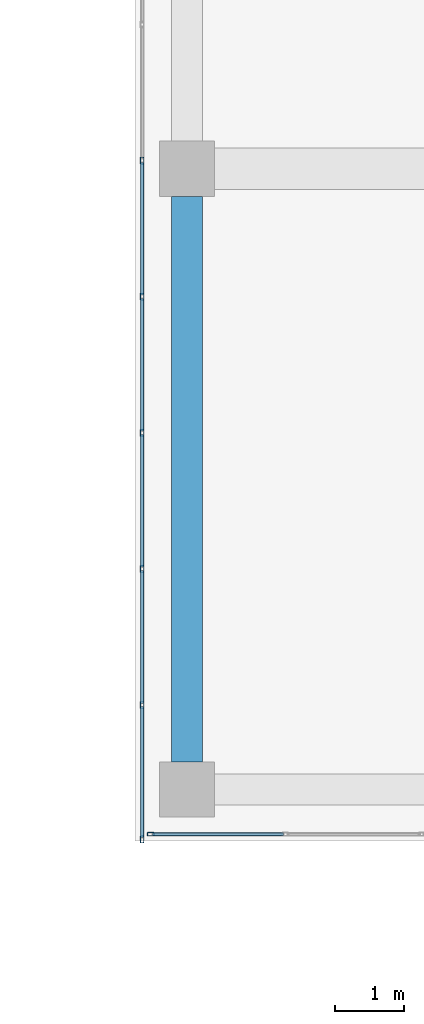
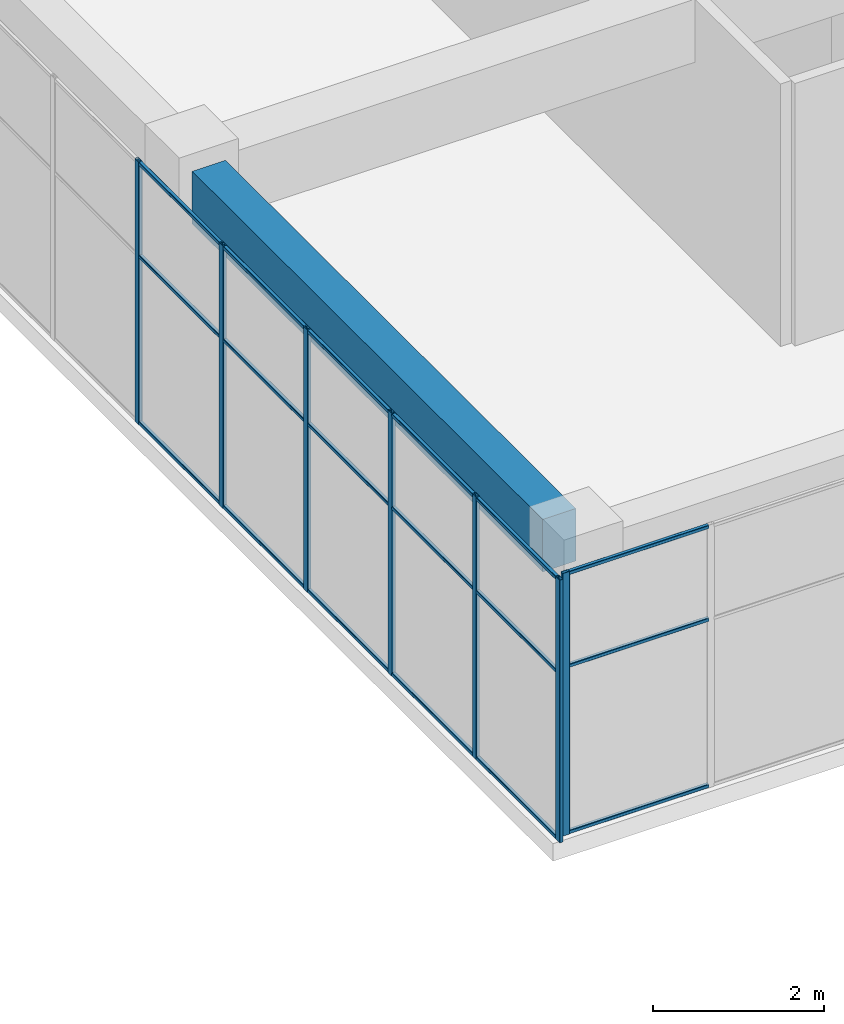
# One storey, part 20 of 55: 25 members, 1 beam, 2 elements without a shape of their own.
"""IFC4 building model written with IfcOpenShell, lengths in metres."""

from ifc_helpers import new_model, si_unit, direction, frame, origin, origin_2d, place, context, subcontext, project, spatial, rectangle, hollow_rectangle, extrude, material, layer, layer_set, material_profile, profile_set, type_object, element, aggregate, save


model = new_model("IFC4")

# Units and contexts
model_context = context("Model", 3, precision=1e-05, world=origin(), true_north=direction((0.0, 1.0)))
body_context = subcontext(model_context, "Body", "Model", "MODEL_VIEW")
ifc_project = project(units=[si_unit("LENGTHUNIT", "METRE"), si_unit("AREAUNIT", "SQUARE_METRE"), si_unit("VOLUMEUNIT", "CUBIC_METRE"), si_unit("PLANEANGLEUNIT", "RADIAN"), si_unit("MASSUNIT", "GRAM", prefix="KILO")], contexts=[model_context])

# Site, building, storey
site_placement = place(None, origin())
site = spatial("IfcSite", under=ifc_project, at=site_placement, CompositionType="ELEMENT")
building_placement = place(site_placement, origin())
building = spatial("IfcBuilding", under=site, at=building_placement, Name="Tuart Plaza Theatre", CompositionType="ELEMENT")
storey_placement = place(building_placement, frame((0.0, 0.0, 21.5)))
storey = spatial("IfcBuildingStorey", under=building, at=storey_placement, Name="L05", CompositionType="ELEMENT", Elevation=21.5)

# Beam
ifc_material_1 = material(Name="Concrete N40 (40 MPa)", Category="concrete")
ifc_material_profile_1 = material_profile(ifc_material_1, rectangle(XDim=0.449951171875, YDim=0.75, at=origin_2d()), Name="BEAM 450x750 Concrete N40 (40 MPa)")
ifc_profile_set_1 = profile_set([ifc_material_profile_1], Name="Concrete N40 (40 MPa)")
beam_type = type_object("IfcBeamType", Name="BEAM 450x750 Concrete N40 (40 MPa)", PredefinedType="BEAM", material=ifc_profile_set_1)
beam_placement = place(storey_placement, frame((114.0, 56.39990234375, 3.375), z_axis=(0.0, 1.0, 0.0), x_axis=(-1.0, 0.0, 0.0)))
element("IfcBeam", 1, at=beam_placement, inside=storey, type_object=beam_type, Name="RB207", PredefinedType="BEAM", context=body_context, shape_type="SweptSolid", body=[
    extrude(rectangle(XDim=0.449951171875, YDim=0.75, at=origin_2d()), origin(), (0.0, 0.0, 1.0), 8.2001953125),
])

# Curtain wall, members
ifc_material_2 = material(Name="Aluminium and glass", Category="aluminium")
ifc_layer = layer(ifc_material_2, 0.10009765625)
ifc_layer_set = layer_set([ifc_layer], Name="CURTAIN WALL 2000 module")
curtain_wall_type = type_object("IfcCurtainWallType", Name="CURTAIN WALL 2000 module", PredefinedType="NOTDEFINED", material=ifc_layer_set)
curtain_wall_1_placement = place(storey_placement, origin())
curtain_wall_1 = element("IfcCurtainWall", 2, at=curtain_wall_1_placement, inside=storey, type_object=curtain_wall_type, Name="CW86", PredefinedType="NOTDEFINED")
ifc_material_3 = material(Name="Aluminium 6063-T5", Category="aluminium")
ifc_material_profile_2 = material_profile(ifc_material_3, hollow_rectangle(XDim=0.050048828125, YDim=0.10009765625, WallThickness=0.00390625, InnerFilletRadius=0.00390625, OuterFilletRadius=0.008056640625, at=origin_2d()), Name="RHS 100x50x4")
ifc_profile_set_2 = profile_set([ifc_material_profile_2], Name="Aluminium 6063-T5")
member_type_1 = type_object("IfcMemberType", Name="MULLION RHS 100x50x4", PredefinedType="MULLION", material=ifc_profile_set_2)
member_1_placement = place(storey_placement, frame((113.35009765625, 65.118408203125, 0.0), z_axis=(0.0, 0.0, 1.0), x_axis=(1.0, 0.0, 0.0)))
member_1 = element("IfcMember", 3, at=member_1_placement, type_object=member_type_1, Name="CW86 mullion 15", PredefinedType="MULLION", context=body_context, shape_type="SweptSolid", body=[
    extrude(hollow_rectangle(XDim=0.050048828125, YDim=0.10009765625, WallThickness=0.00390625, InnerFilletRadius=0.00390625, OuterFilletRadius=0.008056640625, at=origin_2d()), origin(), (0.0, 0.0, 1.0), 3.75),
])
member_2_placement = place(storey_placement, frame((113.35009765625, 63.144775390625, 0.0), z_axis=(0.0, 0.0, 1.0), x_axis=(1.0, 0.0, 0.0)))
member_2 = element("IfcMember", 4, at=member_2_placement, type_object=member_type_1, Name="CW86 mullion 16", PredefinedType="MULLION", context=body_context, shape_type="SweptSolid", body=[
    extrude(hollow_rectangle(XDim=0.050048828125, YDim=0.10009765625, WallThickness=0.00390625, InnerFilletRadius=0.00390625, OuterFilletRadius=0.008056640625, at=origin_2d()), origin(), (0.0, 0.0, 1.0), 3.75),
])
member_3_placement = place(storey_placement, frame((113.35009765625, 61.171142578125, 0.0), z_axis=(0.0, 0.0, 1.0), x_axis=(1.0, 0.0, 0.0)))
member_3 = element("IfcMember", 5, at=member_3_placement, type_object=member_type_1, Name="CW86 mullion 17", PredefinedType="MULLION", context=body_context, shape_type="SweptSolid", body=[
    extrude(hollow_rectangle(XDim=0.050048828125, YDim=0.10009765625, WallThickness=0.00390625, InnerFilletRadius=0.00390625, OuterFilletRadius=0.008056640625, at=origin_2d()), origin(), (0.0, 0.0, 1.0), 3.75),
])
member_4_placement = place(storey_placement, frame((113.35009765625, 59.197265625, 0.0), z_axis=(0.0, 0.0, 1.0), x_axis=(1.0, 0.0, 0.0)))
member_4 = element("IfcMember", 6, at=member_4_placement, type_object=member_type_1, Name="CW86 mullion 18", PredefinedType="MULLION", context=body_context, shape_type="SweptSolid", body=[
    extrude(hollow_rectangle(XDim=0.050048828125, YDim=0.10009765625, WallThickness=0.00390625, InnerFilletRadius=0.00390625, OuterFilletRadius=0.008056640625, at=origin_2d()), origin(), (0.0, 0.0, 1.0), 3.75),
])
member_5_placement = place(storey_placement, frame((113.35009765625, 57.2236328125, 0.0), z_axis=(0.0, 0.0, 1.0), x_axis=(1.0, 0.0, 0.0)))
member_5 = element("IfcMember", 7, at=member_5_placement, type_object=member_type_1, Name="CW86 mullion 19", PredefinedType="MULLION", context=body_context, shape_type="SweptSolid", body=[
    extrude(hollow_rectangle(XDim=0.050048828125, YDim=0.10009765625, WallThickness=0.00390625, InnerFilletRadius=0.00390625, OuterFilletRadius=0.008056640625, at=origin_2d()), origin(), (0.0, 0.0, 1.0), 3.75),
])
member_6_placement = place(storey_placement, frame((113.35009765625, 55.27490234375, 0.0), z_axis=(0.0, 0.0, 1.0), x_axis=(1.0, 0.0, 0.0)))
member_6 = element("IfcMember", 8, at=member_6_placement, type_object=member_type_1, Name="CW86 mullion 20", PredefinedType="MULLION", context=body_context, shape_type="SweptSolid", body=[
    extrude(hollow_rectangle(XDim=0.050048828125, YDim=0.10009765625, WallThickness=0.00390625, InnerFilletRadius=0.00390625, OuterFilletRadius=0.008056640625, at=origin_2d()), origin(), (0.0, 0.0, 1.0), 3.75),
])

# Curtain wall, member
curtain_wall_2_placement = place(storey_placement, origin())
curtain_wall_2 = element("IfcCurtainWall", 9, at=curtain_wall_2_placement, inside=storey, type_object=curtain_wall_type, Name="CW87", PredefinedType="NOTDEFINED")
member_7_placement = place(storey_placement, frame((113.47509765625, 55.35009765625, 0.0), z_axis=(0.0, 0.0, 1.0), x_axis=(0.0, 1.0, 0.0)))
member_7 = element("IfcMember", 10, at=member_7_placement, type_object=member_type_1, Name="CW87 mullion 1", PredefinedType="MULLION", context=body_context, shape_type="SweptSolid", body=[
    extrude(hollow_rectangle(XDim=0.050048828125, YDim=0.10009765625, WallThickness=0.00390625, InnerFilletRadius=0.00390625, OuterFilletRadius=0.008056640625, at=origin_2d()), origin(), (0.0, 0.0, 1.0), 3.75),
])

# Member
ifc_material_4 = material(Name="Aluminium 6063-T5", Category="aluminium")
ifc_material_profile_3 = material_profile(ifc_material_4, hollow_rectangle(XDim=0.050048828125, YDim=0.050048828125, WallThickness=0.00390625, InnerFilletRadius=0.00390625, OuterFilletRadius=0.008056640625, at=origin_2d()), Name="RHS 50x50x4")
ifc_profile_set_3 = profile_set([ifc_material_profile_3], Name="Aluminium 6063-T5")
member_type_2 = type_object("IfcMemberType", Name="TRANSOM RHS 50x50x4", PredefinedType="USERDEFINED", material=ifc_profile_set_3)
member_8_placement = place(storey_placement, frame((113.35009765625, 65.093505859375, 0.02490234375), z_axis=(0.0, -1.0, 0.0), x_axis=(1.0, 0.0, 0.0)))
member_8 = element("IfcMember", 11, at=member_8_placement, type_object=member_type_2, Name="CW86 transom 15.1", ObjectType="TRANSOM", PredefinedType="USERDEFINED", context=body_context, shape_type="SweptSolid", body=[
    extrude(hollow_rectangle(XDim=0.050048828125, YDim=0.050048828125, WallThickness=0.00390625, InnerFilletRadius=0.00390625, OuterFilletRadius=0.008056640625, at=origin_2d()), origin(), (0.0, 0.0, 1.0), 1.923828125),
])

member_9_placement = place(storey_placement, frame((113.35009765625, 65.093505859375, 2.39990234375), z_axis=(0.0, -1.0, 0.0), x_axis=(1.0, 0.0, 0.0)))
member_9 = element("IfcMember", 12, at=member_9_placement, type_object=member_type_2, Name="CW86 transom 15.2", ObjectType="TRANSOM", PredefinedType="USERDEFINED", context=body_context, shape_type="SweptSolid", body=[
    extrude(hollow_rectangle(XDim=0.050048828125, YDim=0.050048828125, WallThickness=0.00390625, InnerFilletRadius=0.00390625, OuterFilletRadius=0.008056640625, at=origin_2d()), origin(), (0.0, 0.0, 1.0), 1.923828125),
])

member_10_placement = place(storey_placement, frame((113.35009765625, 65.093505859375, 3.72509765625), z_axis=(0.0, -1.0, 0.0), x_axis=(1.0, 0.0, 0.0)))
member_10 = element("IfcMember", 13, at=member_10_placement, type_object=member_type_2, Name="CW86 transom 15.3", ObjectType="TRANSOM", PredefinedType="USERDEFINED", context=body_context, shape_type="SweptSolid", body=[
    extrude(hollow_rectangle(XDim=0.050048828125, YDim=0.050048828125, WallThickness=0.00390625, InnerFilletRadius=0.00390625, OuterFilletRadius=0.008056640625, at=origin_2d()), origin(), (0.0, 0.0, 1.0), 1.923828125),
])

member_11_placement = place(storey_placement, frame((113.35009765625, 63.11962890625, 0.02490234375), z_axis=(0.0, -1.0, 0.0), x_axis=(1.0, 0.0, 0.0)))
member_11 = element("IfcMember", 14, at=member_11_placement, type_object=member_type_2, Name="CW86 transom 16.1", ObjectType="TRANSOM", PredefinedType="USERDEFINED", context=body_context, shape_type="SweptSolid", body=[
    extrude(hollow_rectangle(XDim=0.050048828125, YDim=0.050048828125, WallThickness=0.00390625, InnerFilletRadius=0.00390625, OuterFilletRadius=0.008056640625, at=origin_2d()), origin(), (0.0, 0.0, 1.0), 1.923583984375),
])

member_12_placement = place(storey_placement, frame((113.35009765625, 63.11962890625, 2.39990234375), z_axis=(0.0, -1.0, 0.0), x_axis=(1.0, 0.0, 0.0)))
member_12 = element("IfcMember", 15, at=member_12_placement, type_object=member_type_2, Name="CW86 transom 16.2", ObjectType="TRANSOM", PredefinedType="USERDEFINED", context=body_context, shape_type="SweptSolid", body=[
    extrude(hollow_rectangle(XDim=0.050048828125, YDim=0.050048828125, WallThickness=0.00390625, InnerFilletRadius=0.00390625, OuterFilletRadius=0.008056640625, at=origin_2d()), origin(), (0.0, 0.0, 1.0), 1.923583984375),
])

member_13_placement = place(storey_placement, frame((113.35009765625, 63.11962890625, 3.72509765625), z_axis=(0.0, -1.0, 0.0), x_axis=(1.0, 0.0, 0.0)))
member_13 = element("IfcMember", 16, at=member_13_placement, type_object=member_type_2, Name="CW86 transom 16.3", ObjectType="TRANSOM", PredefinedType="USERDEFINED", context=body_context, shape_type="SweptSolid", body=[
    extrude(hollow_rectangle(XDim=0.050048828125, YDim=0.050048828125, WallThickness=0.00390625, InnerFilletRadius=0.00390625, OuterFilletRadius=0.008056640625, at=origin_2d()), origin(), (0.0, 0.0, 1.0), 1.923583984375),
])

member_14_placement = place(storey_placement, frame((113.35009765625, 61.14599609375, 0.02490234375), z_axis=(0.0, -1.0, 0.0), x_axis=(1.0, 0.0, 0.0)))
member_14 = element("IfcMember", 17, at=member_14_placement, type_object=member_type_2, Name="CW86 transom 17.1", ObjectType="TRANSOM", PredefinedType="USERDEFINED", context=body_context, shape_type="SweptSolid", body=[
    extrude(hollow_rectangle(XDim=0.050048828125, YDim=0.050048828125, WallThickness=0.00390625, InnerFilletRadius=0.00390625, OuterFilletRadius=0.008056640625, at=origin_2d()), origin(), (0.0, 0.0, 1.0), 1.923583984375),
])

member_15_placement = place(storey_placement, frame((113.35009765625, 61.14599609375, 2.39990234375), z_axis=(0.0, -1.0, 0.0), x_axis=(1.0, 0.0, 0.0)))
member_15 = element("IfcMember", 18, at=member_15_placement, type_object=member_type_2, Name="CW86 transom 17.2", ObjectType="TRANSOM", PredefinedType="USERDEFINED", context=body_context, shape_type="SweptSolid", body=[
    extrude(hollow_rectangle(XDim=0.050048828125, YDim=0.050048828125, WallThickness=0.00390625, InnerFilletRadius=0.00390625, OuterFilletRadius=0.008056640625, at=origin_2d()), origin(), (0.0, 0.0, 1.0), 1.923583984375),
])

member_16_placement = place(storey_placement, frame((113.35009765625, 61.14599609375, 3.72509765625), z_axis=(0.0, -1.0, 0.0), x_axis=(1.0, 0.0, 0.0)))
member_16 = element("IfcMember", 19, at=member_16_placement, type_object=member_type_2, Name="CW86 transom 17.3", ObjectType="TRANSOM", PredefinedType="USERDEFINED", context=body_context, shape_type="SweptSolid", body=[
    extrude(hollow_rectangle(XDim=0.050048828125, YDim=0.050048828125, WallThickness=0.00390625, InnerFilletRadius=0.00390625, OuterFilletRadius=0.008056640625, at=origin_2d()), origin(), (0.0, 0.0, 1.0), 1.923583984375),
])

member_17_placement = place(storey_placement, frame((113.35009765625, 59.17236328125, 0.02490234375), z_axis=(0.0, -1.0, 0.0), x_axis=(1.0, 0.0, 0.0)))
member_17 = element("IfcMember", 20, at=member_17_placement, type_object=member_type_2, Name="CW86 transom 18.1", ObjectType="TRANSOM", PredefinedType="USERDEFINED", context=body_context, shape_type="SweptSolid", body=[
    extrude(hollow_rectangle(XDim=0.050048828125, YDim=0.050048828125, WallThickness=0.00390625, InnerFilletRadius=0.00390625, OuterFilletRadius=0.008056640625, at=origin_2d()), origin(), (0.0, 0.0, 1.0), 1.923583984375),
])

member_18_placement = place(storey_placement, frame((113.35009765625, 59.17236328125, 2.39990234375), z_axis=(0.0, -1.0, 0.0), x_axis=(1.0, 0.0, 0.0)))
member_18 = element("IfcMember", 21, at=member_18_placement, type_object=member_type_2, Name="CW86 transom 18.2", ObjectType="TRANSOM", PredefinedType="USERDEFINED", context=body_context, shape_type="SweptSolid", body=[
    extrude(hollow_rectangle(XDim=0.050048828125, YDim=0.050048828125, WallThickness=0.00390625, InnerFilletRadius=0.00390625, OuterFilletRadius=0.008056640625, at=origin_2d()), origin(), (0.0, 0.0, 1.0), 1.923583984375),
])

member_19_placement = place(storey_placement, frame((113.35009765625, 59.17236328125, 3.72509765625), z_axis=(0.0, -1.0, 0.0), x_axis=(1.0, 0.0, 0.0)))
member_19 = element("IfcMember", 22, at=member_19_placement, type_object=member_type_2, Name="CW86 transom 18.3", ObjectType="TRANSOM", PredefinedType="USERDEFINED", context=body_context, shape_type="SweptSolid", body=[
    extrude(hollow_rectangle(XDim=0.050048828125, YDim=0.050048828125, WallThickness=0.00390625, InnerFilletRadius=0.00390625, OuterFilletRadius=0.008056640625, at=origin_2d()), origin(), (0.0, 0.0, 1.0), 1.923583984375),
])

member_20_placement = place(storey_placement, frame((113.35009765625, 57.19873046875, 0.02490234375), z_axis=(0.0, -1.0, 0.0), x_axis=(1.0, 0.0, 0.0)))
member_20 = element("IfcMember", 23, at=member_20_placement, type_object=member_type_2, Name="CW86 transom 19.1", ObjectType="TRANSOM", PredefinedType="USERDEFINED", context=body_context, shape_type="SweptSolid", body=[
    extrude(hollow_rectangle(XDim=0.050048828125, YDim=0.050048828125, WallThickness=0.00390625, InnerFilletRadius=0.00390625, OuterFilletRadius=0.008056640625, at=origin_2d()), origin(), (0.0, 0.0, 1.0), 1.898681640625),
])

member_21_placement = place(storey_placement, frame((113.35009765625, 57.19873046875, 2.39990234375), z_axis=(0.0, -1.0, 0.0), x_axis=(1.0, 0.0, 0.0)))
member_21 = element("IfcMember", 24, at=member_21_placement, type_object=member_type_2, Name="CW86 transom 19.2", ObjectType="TRANSOM", PredefinedType="USERDEFINED", context=body_context, shape_type="SweptSolid", body=[
    extrude(hollow_rectangle(XDim=0.050048828125, YDim=0.050048828125, WallThickness=0.00390625, InnerFilletRadius=0.00390625, OuterFilletRadius=0.008056640625, at=origin_2d()), origin(), (0.0, 0.0, 1.0), 1.898681640625),
])

member_22_placement = place(storey_placement, frame((113.35009765625, 57.19873046875, 3.72509765625), z_axis=(0.0, -1.0, 0.0), x_axis=(1.0, 0.0, 0.0)))
member_22 = element("IfcMember", 25, at=member_22_placement, type_object=member_type_2, Name="CW86 transom 19.3", ObjectType="TRANSOM", PredefinedType="USERDEFINED", context=body_context, shape_type="SweptSolid", body=[
    extrude(hollow_rectangle(XDim=0.050048828125, YDim=0.050048828125, WallThickness=0.00390625, InnerFilletRadius=0.00390625, OuterFilletRadius=0.008056640625, at=origin_2d()), origin(), (0.0, 0.0, 1.0), 1.898681640625),
])

aggregate(curtain_wall_1, [member_1, member_2, member_3, member_4, member_5, member_6, member_8, member_9, member_10, member_11, member_12, member_13, member_14, member_15, member_16, member_17, member_18, member_19, member_20, member_21, member_22])

member_23_placement = place(storey_placement, frame((113.5, 55.35009765625, 0.02490234375), z_axis=(1.0, 0.0, 0.0), x_axis=(0.0, 1.0, 0.0)))
member_23 = element("IfcMember", 26, at=member_23_placement, type_object=member_type_2, Name="CW87 transom 1.1", ObjectType="TRANSOM", PredefinedType="USERDEFINED", context=body_context, shape_type="SweptSolid", body=[
    extrude(hollow_rectangle(XDim=0.050048828125, YDim=0.050048828125, WallThickness=0.00390625, InnerFilletRadius=0.00390625, OuterFilletRadius=0.008056640625, at=origin_2d()), origin(), (0.0, 0.0, 1.0), 1.90283203125),
])

member_24_placement = place(storey_placement, frame((113.5, 55.35009765625, 2.39990234375), z_axis=(1.0, 0.0, 0.0), x_axis=(0.0, 1.0, 0.0)))
member_24 = element("IfcMember", 27, at=member_24_placement, type_object=member_type_2, Name="CW87 transom 1.2", ObjectType="TRANSOM", PredefinedType="USERDEFINED", context=body_context, shape_type="SweptSolid", body=[
    extrude(hollow_rectangle(XDim=0.050048828125, YDim=0.050048828125, WallThickness=0.00390625, InnerFilletRadius=0.00390625, OuterFilletRadius=0.008056640625, at=origin_2d()), origin(), (0.0, 0.0, 1.0), 1.90283203125),
])

member_25_placement = place(storey_placement, frame((113.5, 55.35009765625, 3.72509765625), z_axis=(1.0, 0.0, 0.0), x_axis=(0.0, 1.0, 0.0)))
member_25 = element("IfcMember", 28, at=member_25_placement, type_object=member_type_2, Name="CW87 transom 1.3", ObjectType="TRANSOM", PredefinedType="USERDEFINED", context=body_context, shape_type="SweptSolid", body=[
    extrude(hollow_rectangle(XDim=0.050048828125, YDim=0.050048828125, WallThickness=0.00390625, InnerFilletRadius=0.00390625, OuterFilletRadius=0.008056640625, at=origin_2d()), origin(), (0.0, 0.0, 1.0), 1.90283203125),
])

aggregate(curtain_wall_2, [member_7, member_23, member_24, member_25])

save(model, "model.ifc")
